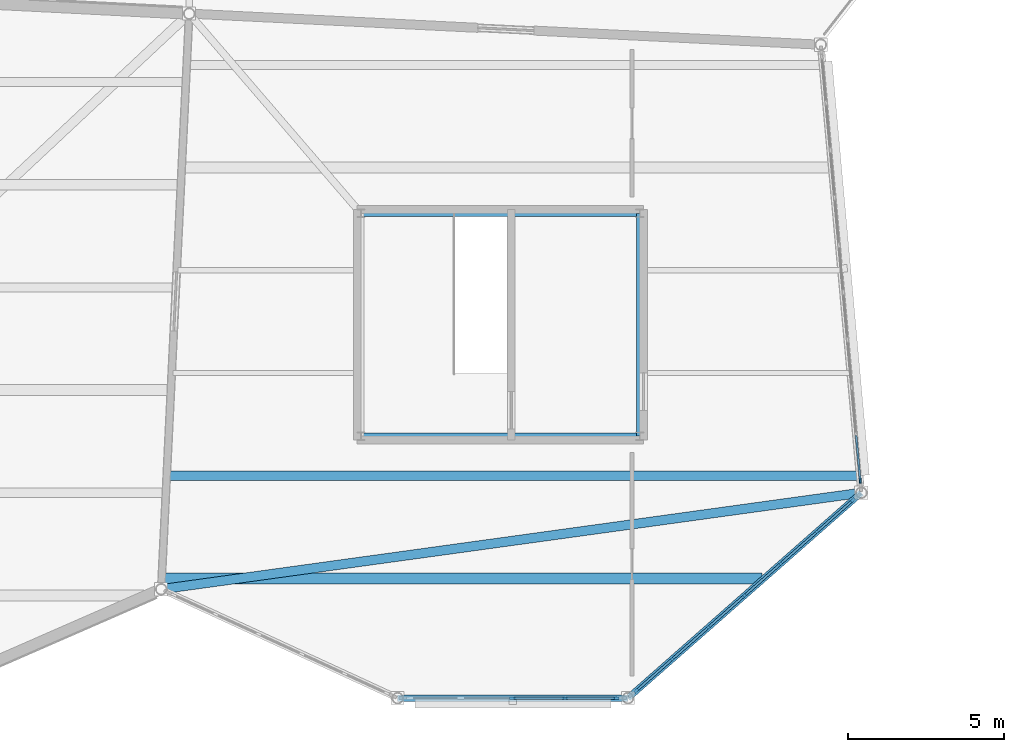
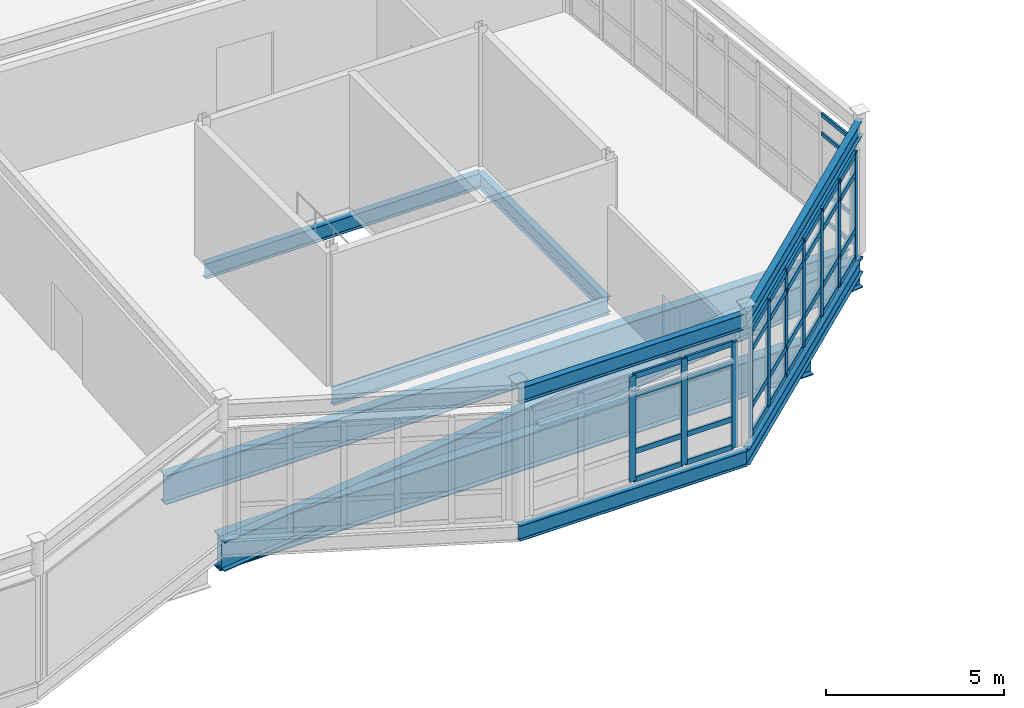
# One storey, part 24 of 114: 47 members, 10 beams, 3 elements without a shape of their own.
"""IFC4 building model written with IfcOpenShell, lengths in metres."""

import ifcopenshell
import ifcopenshell.guid

model = None  # the IFC model being written
_history = None  # IfcOwnerHistory: only IFC2X3 demands one
_inside = {}  # id of a spatial element -> (the spatial element, [elements in it])
_under = {}  # id of a project, library or spatial element -> (it, [spatial elements below it])
_declared = {}  # id of a project -> (the project, [libraries it declares])
_typed = {}  # id of a type object -> (the type object, [elements of that type])
_made_of = {}  # id of a material, layer set ... -> (it, [elements and type objects made of it])


def new_model(schema):
    """Start an empty IFC model of exactly this schema.

    Asked for "IFC4X3", IfcOpenShell would pick the latest addendum, in which some entities
    have other attributes; the version numbers below select the first issue.
    IFC2X3 requires an IfcOwnerHistory on every rooted entity: one is made here for all.
    """
    global model, _history
    if schema == "IFC4X3":
        model = ifcopenshell.file(schema_version=(4, 3, 0, 0))
    else:
        model = ifcopenshell.file(schema=schema)
    _inside.clear()
    _under.clear()
    _declared.clear()
    _typed.clear()
    _made_of.clear()
    _history = None
    if model.schema == "IFC2X3":
        org = make("IfcOrganization", Name="unknown")
        user = make(
            "IfcPersonAndOrganization",
            ThePerson=make("IfcPerson", FamilyName="unknown"),
            TheOrganization=org,
        )
        app = make(
            "IfcApplication",
            ApplicationDeveloper=org,
            Version="unknown",
            ApplicationFullName="unknown",
            ApplicationIdentifier="unknown",
        )
        _history = make(
            "IfcOwnerHistory",
            OwningUser=user,
            OwningApplication=app,
            ChangeAction="ADDED",
            CreationDate=0,
        )
    return model


def make(cls, **values):
    """One entity of the class cls with the attributes given. An attribute that is None is left unset."""
    return model.create_entity(
        cls, **{name: value for name, value in values.items() if value is not None}
    )


def rooted(cls, **values):
    """An entity with a GlobalId (a new one), such as an element, a storey or a relation."""
    return make(cls, GlobalId=ifcopenshell.guid.new(), OwnerHistory=_history, **values)


def si_unit(unit_type, name, prefix=None):
    """IfcSIUnit, for example si_unit("LENGTHUNIT", "METRE", prefix="MILLI")."""
    return make("IfcSIUnit", UnitType=unit_type, Prefix=prefix, Name=name)


def assignment(units):
    """IfcUnitAssignment: the units of a project."""
    return None if units is None else make("IfcUnitAssignment", Units=units)


def point(xyz):
    """IfcCartesianPoint."""
    return None if xyz is None else make("IfcCartesianPoint", Coordinates=xyz)


def direction(xyz):
    """IfcDirection."""
    return None if xyz is None else make("IfcDirection", DirectionRatios=xyz)


def frame(location, z_axis=None, x_axis=None):
    """IfcAxis2Placement3D, a coordinate frame: its origin and axes. An axis left out is left unset."""
    return make(
        "IfcAxis2Placement3D",
        Location=point(location),
        Axis=direction(z_axis),
        RefDirection=direction(x_axis),
    )


def frame_2d(location, x_axis=None):
    """IfcAxis2Placement2D, a coordinate frame in the plane: its origin and x axis."""
    return make(
        "IfcAxis2Placement2D", Location=point(location), RefDirection=direction(x_axis)
    )


def origin():
    """The frame at (0, 0, 0) with its axes left unset."""
    return frame((0.0, 0.0, 0.0))


def origin_2d():
    """The frame at (0, 0) in the plane with its x axis left unset."""
    return frame_2d((0.0, 0.0))


def place(relative_to, where):
    """IfcLocalPlacement: puts the frame where relative to a parent placement (None: the world)."""
    return make(
        "IfcLocalPlacement", PlacementRelTo=relative_to, RelativePlacement=where
    )


def context(
    kind, dimensions, precision=None, world=None, true_north=None, identifier=None
):
    """IfcGeometricRepresentationContext, for example the 3D "Model" context."""
    return make(
        "IfcGeometricRepresentationContext",
        ContextIdentifier=identifier,
        ContextType=kind,
        CoordinateSpaceDimension=dimensions,
        Precision=precision,
        WorldCoordinateSystem=world,
        TrueNorth=true_north,
    )


def subcontext(parent, identifier, kind, view, scale=None):
    """IfcGeometricRepresentationSubContext, for example "Body" below "Model"."""
    return make(
        "IfcGeometricRepresentationSubContext",
        ContextIdentifier=identifier,
        ContextType=kind,
        ParentContext=parent,
        TargetScale=scale,
        TargetView=view,
    )


def project(units=None, contexts=None):
    """IfcProject with its units and contexts."""
    return rooted(
        "IfcProject",
        Name="project",
        RepresentationContexts=contexts,
        UnitsInContext=assignment(units),
    )


def spatial(cls, under=None, at=None, **own):
    """A site, building, storey or space (cls), placed at a placement, below another one or the project."""
    s = rooted(cls, ObjectPlacement=at, **own)
    if under is not None:
        _under.setdefault(under.id(), (under, []))[1].append(s)
    return s


def profile(cls, at=None, kind="AREA", **sizes):
    """A parametric profile (cls). Its sizes go by their IFC names, for example OverallWidth=200.0."""
    return make(cls, ProfileType=kind, Position=at, **sizes)


def rectangle(**sizes):
    """IfcRectangleProfileDef."""
    return profile("IfcRectangleProfileDef", **sizes)


def i_section(**sizes):
    """IfcIShapeProfileDef."""
    return profile("IfcIShapeProfileDef", **sizes)


def extrude(swept, where, along, depth):
    """IfcExtrudedAreaSolid: the profile swept, set in the frame where, extruded along a direction by depth."""
    return make(
        "IfcExtrudedAreaSolid",
        SweptArea=swept,
        Position=where,
        ExtrudedDirection=direction(along),
        Depth=depth,
    )


def shape(context_of_items, identifier, shape_type, items):
    """IfcShapeRepresentation: the items that make up one representation, for example the "Body"."""
    return make(
        "IfcShapeRepresentation",
        ContextOfItems=context_of_items,
        RepresentationIdentifier=identifier,
        RepresentationType=shape_type,
        Items=items,
    )


def material(Name=None, Category=None):
    """IfcMaterial."""
    return make("IfcMaterial", Name=Name, Category=Category)


def material_profile(
    of_material, cross_section, Name=None, Category=None, Priority=None
):
    """IfcMaterialProfile: a cross section and its material."""
    return make(
        "IfcMaterialProfile",
        Name=Name,
        Material=of_material,
        Profile=cross_section,
        Priority=Priority,
        Category=Category,
    )


def profile_set(profiles, Name=None, composite=None):
    """IfcMaterialProfileSet."""
    return make(
        "IfcMaterialProfileSet",
        Name=Name,
        MaterialProfiles=profiles,
        CompositeProfile=composite,
    )


def made_of(thing, what):
    """Note that an element or type object is made of a material, layer set ...; save() writes the relation."""
    if what is not None:
        _made_of.setdefault(what.id(), (what, []))[1].append(thing)
    return thing


def type_object(cls, material=None, **own):
    """A type object (cls), such as IfcWallType, which elements share."""
    return made_of(rooted(cls, **own), material)


def element(
    cls,
    number,
    at=None,
    inside=None,
    cuts=None,
    type_object=None,
    material=None,
    context=None,
    identifier="Body",
    shape_type=None,
    held_by="IfcProductDefinitionShape",
    body=None,
    shapes=None,
    **own,
):
    """One element of the class cls, such as IfcWall. Its Tag is "e" and its number.

    at: its placement. inside: the storey or other place that contains it. cuts: it is an
    opening in that element (IfcRelVoidsElement). A single representation is given by context,
    identifier, shape_type and body (its items); several are given by shapes. held_by: the class
    of the entity that holds the representations. save() writes the other relations.
    """
    e = rooted(cls, Tag="e%d" % number, ObjectPlacement=at, **own)
    if body is not None:
        shapes = [shape(context, identifier, shape_type, body)]
    if shapes is not None:
        e.Representation = make(held_by, Representations=shapes)
    if inside is not None:
        _inside.setdefault(inside.id(), (inside, []))[1].append(e)
    if cuts is not None:
        rooted(
            "IfcRelVoidsElement", RelatingBuildingElement=cuts, RelatedOpeningElement=e
        )
    if type_object is not None:
        _typed.setdefault(type_object.id(), (type_object, []))[1].append(e)
    return made_of(e, material)


def aggregate(whole, parts):
    """IfcRelAggregates: a whole, such as a stair, and the parts it consists of."""
    return rooted("IfcRelAggregates", RelatingObject=whole, RelatedObjects=parts)


def save(model, path):
    """Write the relations noted so far, then the file.

    IfcRelAggregates (storeys below a building ...), IfcRelContainedInSpatialStructure (elements
    in a storey), IfcRelDefinesByType, IfcRelAssociatesMaterial and IfcRelDeclares: one each for
    every whole, place, type object, material and project.
    """
    for whole, parts in _under.values():
        aggregate(whole, parts)
    for where, things in _inside.values():
        rooted(
            "IfcRelContainedInSpatialStructure",
            RelatedElements=things,
            RelatingStructure=where,
        )
    for kind, things in _typed.values():
        rooted("IfcRelDefinesByType", RelatedObjects=things, RelatingType=kind)
    for what, things in _made_of.values():
        rooted("IfcRelAssociatesMaterial", RelatedObjects=things, RelatingMaterial=what)
    for by, libraries in _declared.values():
        rooted("IfcRelDeclares", RelatingContext=by, RelatedDefinitions=libraries)
    model.write(path)


model = new_model("IFC4")

# Units and contexts
model_context = context("Model", 3, precision=1e-05, world=origin(), true_north=direction((0.0, 1.0)))
body_context = subcontext(model_context, "Body", "Model", "MODEL_VIEW")
ifc_project = project(units=[si_unit("LENGTHUNIT", "METRE"), si_unit("AREAUNIT", "SQUARE_METRE"), si_unit("VOLUMEUNIT", "CUBIC_METRE"), si_unit("PLANEANGLEUNIT", "RADIAN"), si_unit("MASSUNIT", "GRAM", prefix="KILO")], contexts=[model_context])

# Site, building, storey
site_placement = place(None, origin())
site = spatial("IfcSite", under=ifc_project, at=site_placement, CompositionType="ELEMENT")
building_placement = place(site_placement, origin())
building = spatial("IfcBuilding", under=site, at=building_placement, Name="Tameran Prism Museum", CompositionType="ELEMENT")
storey_placement = place(building_placement, frame((0.0, 0.0, 10.199951171875)))
storey = spatial("IfcBuildingStorey", under=building, at=storey_placement, Name="L02", CompositionType="ELEMENT", Elevation=10.199951171875)

# Beams
ifc_material_1 = material(Name="Steel Grade 300PLUS (300 MPa)", Category="steel")
ifc_material_profile_1 = material_profile(ifc_material_1, i_section(OverallWidth=0.208984375, OverallDepth=0.532958984375, WebThickness=0.01025390625, FlangeThickness=0.015625, FilletRadius=0.013916015625, at=origin_2d()))
ifc_profile_set_1 = profile_set([ifc_material_profile_1])
beam_type_1 = type_object("IfcBeamType", Name="BM-SP530A", PredefinedType="SPANDREL", material=ifc_profile_set_1)
beam_1_placement = place(storey_placement, frame((37.60009765625, 0.0, -0.466552734375), z_axis=(0.75070866914, 0.660633403696, 0.0), x_axis=(-0.660633403696, 0.75070866914, 0.0)))
element("IfcBeam", 1, at=beam_1_placement, inside=storey, type_object=beam_type_1, Name="Perimeter Spandrel SP-0720", PredefinedType="SPANDREL", context=body_context, shape_type="SweptSolid", body=[
    extrude(i_section(OverallWidth=0.208984375, OverallDepth=0.532958984375, WebThickness=0.01025390625, FlangeThickness=0.015625, FilletRadius=0.013916015625, at=origin_2d()), origin(), (0.0, 0.0, 1.0), 9.990478515625),
])
ifc_material_2 = material(Name="Steel Grade 300PLUS (300 MPa)", Category="steel")
ifc_material_profile_2 = material_profile(ifc_material_2, i_section(OverallWidth=0.208984375, OverallDepth=0.528076171875, WebThickness=0.009521484375, FlangeThickness=0.01318359375, FilletRadius=0.013916015625, at=origin_2d()))
ifc_profile_set_2 = profile_set([ifc_material_profile_2])
beam_type_2 = type_object("IfcBeamType", Name="BM-SP530B", PredefinedType="SPANDREL", material=ifc_profile_set_2)
for number, where, z_axis, x_axis, name in (
    (2, (30.199951171875, 0.0, -0.4638671875), (1.0, 0.0, 0.0), (0.0, 1.0, 0.0), "Perimeter Spandrel SP-0719"),
    (3, (30.199951171875, 0.0, 4.256103515625), (1.0, 0.0, 0.0), (0.0, 1.0, 0.0), "Roof Ring Beam RB-0724"),
):
    element("IfcBeam", number, at=place(storey_placement, frame(where, z_axis=z_axis, x_axis=x_axis)), inside=storey, type_object=beam_type_2, Name=name, PredefinedType="SPANDREL", context=body_context, shape_type="SweptSolid", body=[
        extrude(i_section(OverallWidth=0.208984375, OverallDepth=0.528076171875, WebThickness=0.009521484375, FlangeThickness=0.01318359375, FilletRadius=0.013916015625, at=origin_2d()), origin(), (0.0, 0.0, 1.0), 7.400146484375),
    ])
beam_2_placement = place(storey_placement, frame((37.60009765625, 0.0, 4.256103515625), z_axis=(0.75070866914, 0.660633403696, 0.0), x_axis=(-0.660633403696, 0.75070866914, 0.0)))
element("IfcBeam", 4, at=beam_2_placement, inside=storey, type_object=beam_type_2, Name="Roof Ring Beam RB-0725", PredefinedType="SPANDREL", context=body_context, shape_type="SweptSolid", body=[
    extrude(i_section(OverallWidth=0.208984375, OverallDepth=0.528076171875, WebThickness=0.009521484375, FlangeThickness=0.01318359375, FilletRadius=0.013916015625, at=origin_2d()), origin(), (0.0, 0.0, 1.0), 9.990478515625),
])
beam_3_placement = place(storey_placement, frame((29.02001953125, 8.419921875, -0.50390625), z_axis=(1.0, 0.0, 0.0), x_axis=(0.0, 1.0, 0.0)))
element("IfcBeam", 5, at=beam_3_placement, inside=storey, type_object=beam_type_2, Name="Core Ring Beam CTB-0785", PredefinedType="SPANDREL", context=body_context, shape_type="SweptSolid", body=[
    extrude(i_section(OverallWidth=0.208984375, OverallDepth=0.528076171875, WebThickness=0.009521484375, FlangeThickness=0.01318359375, FilletRadius=0.013916015625, at=origin_2d()), origin(), (0.0, 0.0, 1.0), 8.9599609375),
])
beam_4_placement = place(storey_placement, frame((37.97998046875, 8.419921875, -0.50390625), z_axis=(0.0, 1.0, 0.0), x_axis=(-1.0, 0.0, 0.0)))
element("IfcBeam", 6, at=beam_4_placement, inside=storey, type_object=beam_type_2, Name="Core Ring Beam CTB-0786", PredefinedType="SPANDREL", context=body_context, shape_type="SweptSolid", body=[
    extrude(i_section(OverallWidth=0.208984375, OverallDepth=0.528076171875, WebThickness=0.009521484375, FlangeThickness=0.01318359375, FilletRadius=0.013916015625, at=origin_2d()), origin(), (0.0, 0.0, 1.0), 7.16015625),
])
beam_5_placement = place(storey_placement, frame((37.97998046875, 15.580078125, -0.50390625), z_axis=(-1.0, 0.0, 0.0), x_axis=(0.0, -1.0, 0.0)))
element("IfcBeam", 7, at=beam_5_placement, inside=storey, type_object=beam_type_2, Name="Core Ring Beam CTB-0787", PredefinedType="SPANDREL", context=body_context, shape_type="SweptSolid", body=[
    extrude(i_section(OverallWidth=0.208984375, OverallDepth=0.528076171875, WebThickness=0.009521484375, FlangeThickness=0.01318359375, FilletRadius=0.013916015625, at=origin_2d()), origin(), (0.0, 0.0, 1.0), 8.9599609375),
])
ifc_material_3 = material(Name="Steel Grade 350 (350 MPa)", Category="steel")
ifc_material_profile_3 = material_profile(ifc_material_3, i_section(OverallWidth=0.300048828125, OverallDepth=1.0, WebThickness=0.01611328125, FlangeThickness=0.031982421875, at=origin_2d()))
ifc_profile_set_3 = profile_set([ifc_material_profile_3])
beam_type_3 = type_object("IfcBeamType", Name="BM-WB1000", PredefinedType="BEAM", material=ifc_profile_set_3)
beam_6_placement = place(storey_placement, frame((22.60009765625, 3.5, -0.699951171875), z_axis=(0.990641086736, 0.136492627163, 0.0), x_axis=(-0.136492627163, 0.990641086736, 0.0)))
element("IfcBeam", 8, at=beam_6_placement, inside=storey, type_object=beam_type_3, Name="Primary Vertex Girder PG-0728", PredefinedType="BEAM", context=body_context, shape_type="SweptSolid", body=[
    extrude(i_section(OverallWidth=0.300048828125, OverallDepth=1.0, WebThickness=0.01611328125, FlangeThickness=0.031982421875, at=origin_2d()), origin(), (0.0, 0.0, 1.0), 22.712646484375),
])
beam_7_placement = place(storey_placement, frame((22.818115234375, 7.14990234375, -0.699951171875), z_axis=(1.0, 0.0, 0.0), x_axis=(0.0, 1.0, 0.0)))
element("IfcBeam", 9, at=beam_7_placement, inside=storey, type_object=beam_type_3, Name="Floor Beam BM-0898", PredefinedType="BEAM", context=body_context, shape_type="SweptSolid", body=[
    extrude(i_section(OverallWidth=0.300048828125, OverallDepth=1.0, WebThickness=0.01611328125, FlangeThickness=0.031982421875, at=origin_2d()), origin(), (0.0, 0.0, 1.0), 22.19189453125),
])
ifc_material_4 = material(Name="Steel Grade 350 (350 MPa)", Category="steel")
ifc_material_profile_4 = material_profile(ifc_material_4, i_section(OverallWidth=0.35009765625, OverallDepth=1.199951171875, WebThickness=0.01611328125, FlangeThickness=0.035888671875, at=origin_2d()))
ifc_profile_set_4 = profile_set([ifc_material_profile_4])
beam_type_4 = type_object("IfcBeamType", Name="BM-WB1200", PredefinedType="BEAM", material=ifc_profile_set_4)
beam_8_placement = place(storey_placement, frame((22.656982421875, 3.85009765625, -0.800048828125), z_axis=(1.0, 0.0, 0.0), x_axis=(0.0, 1.0, 0.0)))
element("IfcBeam", 10, at=beam_8_placement, inside=storey, type_object=beam_type_4, Name="Floor Beam BM-0897", PredefinedType="BEAM", context=body_context, shape_type="SweptSolid", body=[
    extrude(i_section(OverallWidth=0.35009765625, OverallDepth=1.199951171875, WebThickness=0.01611328125, FlangeThickness=0.035888671875, at=origin_2d()), origin(), (0.0, 0.0, 1.0), 19.257080078125),
])

# Curtain wall, member
ifc_material_5 = material(Name="Anodised Aluminium 6063-T6 and Cyclone Solar Glass", Category="aluminium")
curtain_wall_type_1 = type_object("IfcCurtainWallType", Name="CW-FAC-1376x362", PredefinedType="USERDEFINED", material=ifc_material_5)
curtain_wall_1_placement = place(storey_placement, origin())
curtain_wall_1 = element("IfcCurtainWall", 11, at=curtain_wall_1_placement, inside=storey, type_object=curtain_wall_type_1, Name="Unitised Curtain Wall CW-123", ObjectType="UNITISED CURTAIN WALL", PredefinedType="USERDEFINED")
ifc_material_6 = material(Name="Anodised Aluminium Alloy 6063-T6", Category="aluminium")
ifc_material_profile_5 = material_profile(ifc_material_6, rectangle(XDim=0.06494140625, YDim=0.159912109375, at=origin_2d()))
ifc_profile_set_5 = profile_set([ifc_material_profile_5])
member_type_1 = type_object("IfcMemberType", Name="CW-MUL-A", PredefinedType="MULLION", material=ifc_profile_set_5)
member_1_placement = place(storey_placement, frame((45.066162109375, 6.9814453125, 0.0), z_axis=(0.0, 0.0, 1.0), x_axis=(0.995943100389, 0.089985225386, 0.0)))
member_1 = element("IfcMember", 12, at=member_1_placement, type_object=member_type_1, Name="CW-123 mullion 10", PredefinedType="MULLION", context=body_context, shape_type="SweptSolid", body=[
    extrude(rectangle(XDim=0.06494140625, YDim=0.159912109375, at=origin_2d()), origin(), (0.0, 0.0, 1.0), 3.6201171875),
])

# Curtain wall, members
ifc_material_7 = material(Name="Anodised Aluminium 6063-T6 and Cyclone Solar Glass", Category="aluminium")
curtain_wall_type_2 = type_object("IfcCurtainWallType", Name="CW-FAC-670x362", PredefinedType="USERDEFINED", material=ifc_material_7)
curtain_wall_2_placement = place(storey_placement, origin())
curtain_wall_2 = element("IfcCurtainWall", 13, at=curtain_wall_2_placement, inside=storey, type_object=curtain_wall_type_2, Name="Unitised Curtain Wall CW-121", ObjectType="UNITISED CURTAIN WALL", PredefinedType="USERDEFINED")
ifc_material_8 = material(Name="Anodised Aluminium Alloy 6063-T6", Category="aluminium")
ifc_material_profile_6 = material_profile(ifc_material_8, rectangle(XDim=0.074951171875, YDim=0.199951171875, at=origin_2d()))
ifc_profile_set_6 = profile_set([ifc_material_profile_6])
member_type_2 = type_object("IfcMemberType", Name="CW-MUL-C", PredefinedType="MULLION", material=ifc_profile_set_6)
member_2_placement = place(storey_placement, frame((37.21240234375, 0.0, 0.0), z_axis=(0.0, 0.0, 1.0), x_axis=(0.0, -1.0, 0.0)))
member_2 = element("IfcMember", 14, at=member_2_placement, type_object=member_type_2, Name="CW-121 mullion 1", PredefinedType="MULLION", context=body_context, shape_type="SweptSolid", body=[
    extrude(rectangle(XDim=0.074951171875, YDim=0.199951171875, at=origin_2d()), origin(), (0.0, 0.0, 1.0), 3.6201171875),
])
member_3_placement = place(storey_placement, frame((35.574951171875, 0.0, 0.0), z_axis=(0.0, 0.0, 1.0), x_axis=(0.0, -1.0, 0.0)))
member_3 = element("IfcMember", 15, at=member_3_placement, type_object=member_type_2, Name="CW-121 mullion 2", PredefinedType="MULLION", context=body_context, shape_type="SweptSolid", body=[
    extrude(rectangle(XDim=0.074951171875, YDim=0.199951171875, at=origin_2d()), origin(), (0.0, 0.0, 1.0), 3.6201171875),
])
member_4_placement = place(storey_placement, frame((33.89990234375, 0.0, 0.0), z_axis=(0.0, 0.0, 1.0), x_axis=(0.0, -1.0, 0.0)))
member_4 = element("IfcMember", 16, at=member_4_placement, type_object=member_type_2, Name="CW-121 mullion 3", PredefinedType="MULLION", context=body_context, shape_type="SweptSolid", body=[
    extrude(rectangle(XDim=0.074951171875, YDim=0.199951171875, at=origin_2d()), origin(), (0.0, 0.0, 1.0), 3.6201171875),
])

ifc_material_9 = material(Name="Anodised Aluminium 6063-T6 and Cyclone Solar Glass", Category="aluminium")
curtain_wall_type_3 = type_object("IfcCurtainWallType", Name="CW-FAC-929x362", PredefinedType="USERDEFINED", material=ifc_material_9)
curtain_wall_3_placement = place(storey_placement, origin())
curtain_wall_3 = element("IfcCurtainWall", 17, at=curtain_wall_3_placement, inside=storey, type_object=curtain_wall_type_3, Name="Unitised Curtain Wall CW-122", ObjectType="UNITISED CURTAIN WALL", PredefinedType="USERDEFINED")
ifc_material_10 = material(Name="Anodised Aluminium Alloy 6063-T6", Category="aluminium")
ifc_material_profile_7 = material_profile(ifc_material_10, rectangle(XDim=0.080078125, YDim=0.219970703125, at=origin_2d()))
ifc_profile_set_7 = profile_set([ifc_material_profile_7])
member_type_3 = type_object("IfcMemberType", Name="CW-MUL-D", PredefinedType="MULLION", material=ifc_profile_set_7)
member_5_placement = place(storey_placement, frame((44.806884765625, 6.342529296875, 0.0), z_axis=(0.0, 0.0, 1.0), x_axis=(0.660681275391, -0.750666538716, 0.0)))
member_5 = element("IfcMember", 18, at=member_5_placement, type_object=member_type_3, Name="CW-122 mullion 1", PredefinedType="MULLION", context=body_context, shape_type="SweptSolid", body=[
    extrude(rectangle(XDim=0.080078125, YDim=0.219970703125, at=origin_2d()), origin(), (0.0, 0.0, 1.0), 3.6201171875),
])
member_6_placement = place(storey_placement, frame((43.674560546875, 5.345947265625, 0.0), z_axis=(0.0, 0.0, 1.0), x_axis=(0.660681275391, -0.750666538716, 0.0)))
member_6 = element("IfcMember", 19, at=member_6_placement, type_object=member_type_3, Name="CW-122 mullion 2", PredefinedType="MULLION", context=body_context, shape_type="SweptSolid", body=[
    extrude(rectangle(XDim=0.080078125, YDim=0.219970703125, at=origin_2d()), origin(), (0.0, 0.0, 1.0), 3.6201171875),
])
member_7_placement = place(storey_placement, frame((42.512451171875, 4.322998046875, 0.0), z_axis=(0.0, 0.0, 1.0), x_axis=(0.660681275391, -0.750666538716, 0.0)))
member_7 = element("IfcMember", 20, at=member_7_placement, type_object=member_type_3, Name="CW-122 mullion 3", PredefinedType="MULLION", context=body_context, shape_type="SweptSolid", body=[
    extrude(rectangle(XDim=0.080078125, YDim=0.219970703125, at=origin_2d()), origin(), (0.0, 0.0, 1.0), 3.6201171875),
])
member_8_placement = place(storey_placement, frame((41.35009765625, 3.300048828125, 0.0), z_axis=(0.0, 0.0, 1.0), x_axis=(0.660681275391, -0.750666538716, 0.0)))
member_8 = element("IfcMember", 21, at=member_8_placement, type_object=member_type_3, Name="CW-122 mullion 4", PredefinedType="MULLION", context=body_context, shape_type="SweptSolid", body=[
    extrude(rectangle(XDim=0.080078125, YDim=0.219970703125, at=origin_2d()), origin(), (0.0, 0.0, 1.0), 3.6201171875),
])
member_9_placement = place(storey_placement, frame((40.187744140625, 2.277099609375, 0.0), z_axis=(0.0, 0.0, 1.0), x_axis=(0.660681275391, -0.750666538716, 0.0)))
member_9 = element("IfcMember", 22, at=member_9_placement, type_object=member_type_3, Name="CW-122 mullion 5", PredefinedType="MULLION", context=body_context, shape_type="SweptSolid", body=[
    extrude(rectangle(XDim=0.080078125, YDim=0.219970703125, at=origin_2d()), origin(), (0.0, 0.0, 1.0), 3.6201171875),
])
member_10_placement = place(storey_placement, frame((39.025390625, 1.25390625, 0.0), z_axis=(0.0, 0.0, 1.0), x_axis=(0.660681275391, -0.750666538716, 0.0)))
member_10 = element("IfcMember", 23, at=member_10_placement, type_object=member_type_3, Name="CW-122 mullion 6", PredefinedType="MULLION", context=body_context, shape_type="SweptSolid", body=[
    extrude(rectangle(XDim=0.080078125, YDim=0.219970703125, at=origin_2d()), origin(), (0.0, 0.0, 1.0), 3.6201171875),
])
member_11_placement = place(storey_placement, frame((37.89306640625, 0.25732421875, 0.0), z_axis=(0.0, 0.0, 1.0), x_axis=(0.660681275391, -0.750666538716, 0.0)))
member_11 = element("IfcMember", 24, at=member_11_placement, type_object=member_type_3, Name="CW-122 mullion 7", PredefinedType="MULLION", context=body_context, shape_type="SweptSolid", body=[
    extrude(rectangle(XDim=0.080078125, YDim=0.219970703125, at=origin_2d()), origin(), (0.0, 0.0, 1.0), 3.6201171875),
])

# Member
ifc_material_11 = material(Name="Anodised Aluminium Alloy 6063-T6", Category="aluminium")
ifc_material_profile_8 = material_profile(ifc_material_11, rectangle(XDim=0.06494140625, YDim=0.139892578125, at=origin_2d()))
ifc_profile_set_8 = profile_set([ifc_material_profile_8])
member_type_4 = type_object("IfcMemberType", Name="CW-TRN-A", PredefinedType="USERDEFINED", material=ifc_profile_set_8)
member_12_placement = place(storey_placement, frame((44.934326171875, 8.43896484375, 0.032470703125), z_axis=(0.090074290165, -0.995935049213, 0.0), x_axis=(0.995935049213, 0.090074290165, 0.0)))
member_12 = element("IfcMember", 25, at=member_12_placement, type_object=member_type_4, Name="CW-123 transom 9.1", ObjectType="TRANSOM", PredefinedType="USERDEFINED", context=body_context, shape_type="SweptSolid", body=[
    extrude(rectangle(XDim=0.06494140625, YDim=0.139892578125, at=origin_2d()), origin(), (0.0, 0.0, 1.0), 1.43115234375),
])

member_13_placement = place(storey_placement, frame((44.934326171875, 8.43896484375, 1.0), z_axis=(0.090074290165, -0.995935049213, 0.0), x_axis=(0.995935049213, 0.090074290165, 0.0)))
member_13 = element("IfcMember", 26, at=member_13_placement, type_object=member_type_4, Name="CW-123 transom 9.2", ObjectType="TRANSOM", PredefinedType="USERDEFINED", context=body_context, shape_type="SweptSolid", body=[
    extrude(rectangle(XDim=0.06494140625, YDim=0.139892578125, at=origin_2d()), origin(), (0.0, 0.0, 1.0), 1.43115234375),
])

member_14_placement = place(storey_placement, frame((44.934326171875, 8.43896484375, 2.93994140625), z_axis=(0.090074290165, -0.995935049213, 0.0), x_axis=(0.995935049213, 0.090074290165, 0.0)))
member_14 = element("IfcMember", 27, at=member_14_placement, type_object=member_type_4, Name="CW-123 transom 9.3", ObjectType="TRANSOM", PredefinedType="USERDEFINED", context=body_context, shape_type="SweptSolid", body=[
    extrude(rectangle(XDim=0.06494140625, YDim=0.139892578125, at=origin_2d()), origin(), (0.0, 0.0, 1.0), 1.43115234375),
])

member_15_placement = place(storey_placement, frame((44.934326171875, 8.43896484375, 3.587646484375), z_axis=(0.090074290165, -0.995935049213, 0.0), x_axis=(0.995935049213, 0.090074290165, 0.0)))
member_15 = element("IfcMember", 28, at=member_15_placement, type_object=member_type_4, Name="CW-123 transom 9.4", ObjectType="TRANSOM", PredefinedType="USERDEFINED", context=body_context, shape_type="SweptSolid", body=[
    extrude(rectangle(XDim=0.06494140625, YDim=0.139892578125, at=origin_2d()), origin(), (0.0, 0.0, 1.0), 1.43115234375),
])

aggregate(curtain_wall_1, [member_1, member_12, member_13, member_14, member_15])

ifc_material_12 = material(Name="Anodised Aluminium Alloy 6063-T6", Category="aluminium")
ifc_material_profile_9 = material_profile(ifc_material_12, rectangle(XDim=0.074951171875, YDim=0.175048828125, at=origin_2d()))
ifc_profile_set_9 = profile_set([ifc_material_profile_9])
member_type_5 = type_object("IfcMemberType", Name="CW-TRN-C", PredefinedType="USERDEFINED", material=ifc_profile_set_9)
member_16_placement = place(storey_placement, frame((37.175048828125, 0.0, 0.03759765625), z_axis=(-1.0, 0.0, 0.0), x_axis=(0.0, -1.0, 0.0)))
member_16 = element("IfcMember", 29, at=member_16_placement, type_object=member_type_5, Name="CW-121 transom 1.1", ObjectType="TRANSOM", PredefinedType="USERDEFINED", context=body_context, shape_type="SweptSolid", body=[
    extrude(rectangle(XDim=0.074951171875, YDim=0.175048828125, at=origin_2d()), origin(), (0.0, 0.0, 1.0), 1.5625),
])

member_17_placement = place(storey_placement, frame((37.175048828125, 0.0, 1.0), z_axis=(-1.0, 0.0, 0.0), x_axis=(0.0, -1.0, 0.0)))
member_17 = element("IfcMember", 30, at=member_17_placement, type_object=member_type_5, Name="CW-121 transom 1.2", ObjectType="TRANSOM", PredefinedType="USERDEFINED", context=body_context, shape_type="SweptSolid", body=[
    extrude(rectangle(XDim=0.074951171875, YDim=0.175048828125, at=origin_2d()), origin(), (0.0, 0.0, 1.0), 1.5625),
])

member_18_placement = place(storey_placement, frame((37.175048828125, 0.0, 2.93994140625), z_axis=(-1.0, 0.0, 0.0), x_axis=(0.0, -1.0, 0.0)))
member_18 = element("IfcMember", 31, at=member_18_placement, type_object=member_type_5, Name="CW-121 transom 1.3", ObjectType="TRANSOM", PredefinedType="USERDEFINED", context=body_context, shape_type="SweptSolid", body=[
    extrude(rectangle(XDim=0.074951171875, YDim=0.175048828125, at=origin_2d()), origin(), (0.0, 0.0, 1.0), 1.5625),
])

member_19_placement = place(storey_placement, frame((37.175048828125, 0.0, 3.58251953125), z_axis=(-1.0, 0.0, 0.0), x_axis=(0.0, -1.0, 0.0)))
member_19 = element("IfcMember", 32, at=member_19_placement, type_object=member_type_5, Name="CW-121 transom 1.4", ObjectType="TRANSOM", PredefinedType="USERDEFINED", context=body_context, shape_type="SweptSolid", body=[
    extrude(rectangle(XDim=0.074951171875, YDim=0.175048828125, at=origin_2d()), origin(), (0.0, 0.0, 1.0), 1.5625),
])

member_20_placement = place(storey_placement, frame((35.53759765625, 0.0, 0.03759765625), z_axis=(-1.0, 0.0, 0.0), x_axis=(0.0, -1.0, 0.0)))
member_20 = element("IfcMember", 33, at=member_20_placement, type_object=member_type_5, Name="CW-121 transom 2.1", ObjectType="TRANSOM", PredefinedType="USERDEFINED", context=body_context, shape_type="SweptSolid", body=[
    extrude(rectangle(XDim=0.074951171875, YDim=0.175048828125, at=origin_2d()), origin(), (0.0, 0.0, 1.0), 1.60009765625),
])

member_21_placement = place(storey_placement, frame((35.53759765625, 0.0, 1.0), z_axis=(-1.0, 0.0, 0.0), x_axis=(0.0, -1.0, 0.0)))
member_21 = element("IfcMember", 34, at=member_21_placement, type_object=member_type_5, Name="CW-121 transom 2.2", ObjectType="TRANSOM", PredefinedType="USERDEFINED", context=body_context, shape_type="SweptSolid", body=[
    extrude(rectangle(XDim=0.074951171875, YDim=0.175048828125, at=origin_2d()), origin(), (0.0, 0.0, 1.0), 1.60009765625),
])

member_22_placement = place(storey_placement, frame((35.53759765625, 0.0, 2.93994140625), z_axis=(-1.0, 0.0, 0.0), x_axis=(0.0, -1.0, 0.0)))
member_22 = element("IfcMember", 35, at=member_22_placement, type_object=member_type_5, Name="CW-121 transom 2.3", ObjectType="TRANSOM", PredefinedType="USERDEFINED", context=body_context, shape_type="SweptSolid", body=[
    extrude(rectangle(XDim=0.074951171875, YDim=0.175048828125, at=origin_2d()), origin(), (0.0, 0.0, 1.0), 1.60009765625),
])

member_23_placement = place(storey_placement, frame((35.53759765625, 0.0, 3.58251953125), z_axis=(-1.0, 0.0, 0.0), x_axis=(0.0, -1.0, 0.0)))
member_23 = element("IfcMember", 36, at=member_23_placement, type_object=member_type_5, Name="CW-121 transom 2.4", ObjectType="TRANSOM", PredefinedType="USERDEFINED", context=body_context, shape_type="SweptSolid", body=[
    extrude(rectangle(XDim=0.074951171875, YDim=0.175048828125, at=origin_2d()), origin(), (0.0, 0.0, 1.0), 1.60009765625),
])

aggregate(curtain_wall_2, [member_2, member_3, member_4, member_16, member_17, member_18, member_19, member_20, member_21, member_22, member_23])

ifc_material_13 = material(Name="Anodised Aluminium Alloy 6063-T6", Category="aluminium")
ifc_material_profile_10 = material_profile(ifc_material_13, rectangle(XDim=0.080078125, YDim=0.195068359375, at=origin_2d()))
ifc_profile_set_10 = profile_set([ifc_material_profile_10])
member_type_6 = type_object("IfcMemberType", Name="CW-TRN-D", PredefinedType="USERDEFINED", material=ifc_profile_set_10)
member_24_placement = place(storey_placement, frame((44.77685546875, 6.316162109375, 0.0400390625), z_axis=(-0.750625359617, -0.660728060173, 0.0), x_axis=(0.660728060173, -0.750625359617, 0.0)))
member_24 = element("IfcMember", 37, at=member_24_placement, type_object=member_type_6, Name="CW-122 transom 1.1", ObjectType="TRANSOM", PredefinedType="USERDEFINED", context=body_context, shape_type="SweptSolid", body=[
    extrude(rectangle(XDim=0.080078125, YDim=0.195068359375, at=origin_2d()), origin(), (0.0, 0.0, 1.0), 1.428466796875),
])

member_25_placement = place(storey_placement, frame((44.77685546875, 6.316162109375, 1.0), z_axis=(-0.750625359617, -0.660728060173, 0.0), x_axis=(0.660728060173, -0.750625359617, 0.0)))
member_25 = element("IfcMember", 38, at=member_25_placement, type_object=member_type_6, Name="CW-122 transom 1.2", ObjectType="TRANSOM", PredefinedType="USERDEFINED", context=body_context, shape_type="SweptSolid", body=[
    extrude(rectangle(XDim=0.080078125, YDim=0.195068359375, at=origin_2d()), origin(), (0.0, 0.0, 1.0), 1.428466796875),
])

member_26_placement = place(storey_placement, frame((44.77685546875, 6.316162109375, 2.93994140625), z_axis=(-0.750625359617, -0.660728060173, 0.0), x_axis=(0.660728060173, -0.750625359617, 0.0)))
member_26 = element("IfcMember", 39, at=member_26_placement, type_object=member_type_6, Name="CW-122 transom 1.3", ObjectType="TRANSOM", PredefinedType="USERDEFINED", context=body_context, shape_type="SweptSolid", body=[
    extrude(rectangle(XDim=0.080078125, YDim=0.195068359375, at=origin_2d()), origin(), (0.0, 0.0, 1.0), 1.428466796875),
])

member_27_placement = place(storey_placement, frame((44.77685546875, 6.316162109375, 3.580078125), z_axis=(-0.750625359617, -0.660728060173, 0.0), x_axis=(0.660728060173, -0.750625359617, 0.0)))
member_27 = element("IfcMember", 40, at=member_27_placement, type_object=member_type_6, Name="CW-122 transom 1.4", ObjectType="TRANSOM", PredefinedType="USERDEFINED", context=body_context, shape_type="SweptSolid", body=[
    extrude(rectangle(XDim=0.080078125, YDim=0.195068359375, at=origin_2d()), origin(), (0.0, 0.0, 1.0), 1.428466796875),
])

member_28_placement = place(storey_placement, frame((43.64453125, 5.319580078125, 0.0400390625), z_axis=(-0.75057496113, -0.660785311372, 0.0), x_axis=(0.660785311372, -0.75057496113, 0.0)))
member_28 = element("IfcMember", 41, at=member_28_placement, type_object=member_type_6, Name="CW-122 transom 2.1", ObjectType="TRANSOM", PredefinedType="USERDEFINED", context=body_context, shape_type="SweptSolid", body=[
    extrude(rectangle(XDim=0.080078125, YDim=0.195068359375, at=origin_2d()), origin(), (0.0, 0.0, 1.0), 1.46826171875),
])

member_29_placement = place(storey_placement, frame((43.64453125, 5.319580078125, 1.0), z_axis=(-0.75057496113, -0.660785311372, 0.0), x_axis=(0.660785311372, -0.75057496113, 0.0)))
member_29 = element("IfcMember", 42, at=member_29_placement, type_object=member_type_6, Name="CW-122 transom 2.2", ObjectType="TRANSOM", PredefinedType="USERDEFINED", context=body_context, shape_type="SweptSolid", body=[
    extrude(rectangle(XDim=0.080078125, YDim=0.195068359375, at=origin_2d()), origin(), (0.0, 0.0, 1.0), 1.46826171875),
])

member_30_placement = place(storey_placement, frame((43.64453125, 5.319580078125, 2.93994140625), z_axis=(-0.75057496113, -0.660785311372, 0.0), x_axis=(0.660785311372, -0.75057496113, 0.0)))
member_30 = element("IfcMember", 43, at=member_30_placement, type_object=member_type_6, Name="CW-122 transom 2.3", ObjectType="TRANSOM", PredefinedType="USERDEFINED", context=body_context, shape_type="SweptSolid", body=[
    extrude(rectangle(XDim=0.080078125, YDim=0.195068359375, at=origin_2d()), origin(), (0.0, 0.0, 1.0), 1.46826171875),
])

member_31_placement = place(storey_placement, frame((43.64453125, 5.319580078125, 3.580078125), z_axis=(-0.75057496113, -0.660785311372, 0.0), x_axis=(0.660785311372, -0.75057496113, 0.0)))
member_31 = element("IfcMember", 44, at=member_31_placement, type_object=member_type_6, Name="CW-122 transom 2.4", ObjectType="TRANSOM", PredefinedType="USERDEFINED", context=body_context, shape_type="SweptSolid", body=[
    extrude(rectangle(XDim=0.080078125, YDim=0.195068359375, at=origin_2d()), origin(), (0.0, 0.0, 1.0), 1.46826171875),
])

member_32_placement = place(storey_placement, frame((42.482421875, 4.296630859375, 0.0400390625), z_axis=(-0.750647550325, -0.660702849389, 0.0), x_axis=(0.660702849389, -0.750647550325, 0.0)))
member_32 = element("IfcMember", 45, at=member_32_placement, type_object=member_type_6, Name="CW-122 transom 3.1", ObjectType="TRANSOM", PredefinedType="USERDEFINED", context=body_context, shape_type="SweptSolid", body=[
    extrude(rectangle(XDim=0.080078125, YDim=0.195068359375, at=origin_2d()), origin(), (0.0, 0.0, 1.0), 1.468505859375),
])

member_33_placement = place(storey_placement, frame((42.482421875, 4.296630859375, 1.0), z_axis=(-0.750647550325, -0.660702849389, 0.0), x_axis=(0.660702849389, -0.750647550325, 0.0)))
member_33 = element("IfcMember", 46, at=member_33_placement, type_object=member_type_6, Name="CW-122 transom 3.2", ObjectType="TRANSOM", PredefinedType="USERDEFINED", context=body_context, shape_type="SweptSolid", body=[
    extrude(rectangle(XDim=0.080078125, YDim=0.195068359375, at=origin_2d()), origin(), (0.0, 0.0, 1.0), 1.468505859375),
])

member_34_placement = place(storey_placement, frame((42.482421875, 4.296630859375, 2.93994140625), z_axis=(-0.750647550325, -0.660702849389, 0.0), x_axis=(0.660702849389, -0.750647550325, 0.0)))
member_34 = element("IfcMember", 47, at=member_34_placement, type_object=member_type_6, Name="CW-122 transom 3.3", ObjectType="TRANSOM", PredefinedType="USERDEFINED", context=body_context, shape_type="SweptSolid", body=[
    extrude(rectangle(XDim=0.080078125, YDim=0.195068359375, at=origin_2d()), origin(), (0.0, 0.0, 1.0), 1.468505859375),
])

member_35_placement = place(storey_placement, frame((42.482421875, 4.296630859375, 3.580078125), z_axis=(-0.750647550325, -0.660702849389, 0.0), x_axis=(0.660702849389, -0.750647550325, 0.0)))
member_35 = element("IfcMember", 48, at=member_35_placement, type_object=member_type_6, Name="CW-122 transom 3.4", ObjectType="TRANSOM", PredefinedType="USERDEFINED", context=body_context, shape_type="SweptSolid", body=[
    extrude(rectangle(XDim=0.080078125, YDim=0.195068359375, at=origin_2d()), origin(), (0.0, 0.0, 1.0), 1.468505859375),
])

member_36_placement = place(storey_placement, frame((41.320068359375, 3.273681640625, 0.0400390625), z_axis=(-0.750647550325, -0.660702849389, 0.0), x_axis=(0.660702849389, -0.750647550325, 0.0)))
member_36 = element("IfcMember", 49, at=member_36_placement, type_object=member_type_6, Name="CW-122 transom 4.1", ObjectType="TRANSOM", PredefinedType="USERDEFINED", context=body_context, shape_type="SweptSolid", body=[
    extrude(rectangle(XDim=0.080078125, YDim=0.195068359375, at=origin_2d()), origin(), (0.0, 0.0, 1.0), 1.468505859375),
])

member_37_placement = place(storey_placement, frame((41.320068359375, 3.273681640625, 1.0), z_axis=(-0.750647550325, -0.660702849389, 0.0), x_axis=(0.660702849389, -0.750647550325, 0.0)))
member_37 = element("IfcMember", 50, at=member_37_placement, type_object=member_type_6, Name="CW-122 transom 4.2", ObjectType="TRANSOM", PredefinedType="USERDEFINED", context=body_context, shape_type="SweptSolid", body=[
    extrude(rectangle(XDim=0.080078125, YDim=0.195068359375, at=origin_2d()), origin(), (0.0, 0.0, 1.0), 1.468505859375),
])

member_38_placement = place(storey_placement, frame((41.320068359375, 3.273681640625, 2.93994140625), z_axis=(-0.750647550325, -0.660702849389, 0.0), x_axis=(0.660702849389, -0.750647550325, 0.0)))
member_38 = element("IfcMember", 51, at=member_38_placement, type_object=member_type_6, Name="CW-122 transom 4.3", ObjectType="TRANSOM", PredefinedType="USERDEFINED", context=body_context, shape_type="SweptSolid", body=[
    extrude(rectangle(XDim=0.080078125, YDim=0.195068359375, at=origin_2d()), origin(), (0.0, 0.0, 1.0), 1.468505859375),
])

member_39_placement = place(storey_placement, frame((41.320068359375, 3.273681640625, 3.580078125), z_axis=(-0.750647550325, -0.660702849389, 0.0), x_axis=(0.660702849389, -0.750647550325, 0.0)))
member_39 = element("IfcMember", 52, at=member_39_placement, type_object=member_type_6, Name="CW-122 transom 4.4", ObjectType="TRANSOM", PredefinedType="USERDEFINED", context=body_context, shape_type="SweptSolid", body=[
    extrude(rectangle(XDim=0.080078125, YDim=0.195068359375, at=origin_2d()), origin(), (0.0, 0.0, 1.0), 1.468505859375),
])

member_40_placement = place(storey_placement, frame((40.15771484375, 2.25048828125, 0.0400390625), z_axis=(-0.750730009214, -0.66060915318, 0.0), x_axis=(0.66060915318, -0.750730009214, 0.0)))
member_40 = element("IfcMember", 53, at=member_40_placement, type_object=member_type_6, Name="CW-122 transom 5.1", ObjectType="TRANSOM", PredefinedType="USERDEFINED", context=body_context, shape_type="SweptSolid", body=[
    extrude(rectangle(XDim=0.080078125, YDim=0.195068359375, at=origin_2d()), origin(), (0.0, 0.0, 1.0), 1.46826171875),
])

member_41_placement = place(storey_placement, frame((40.15771484375, 2.25048828125, 1.0), z_axis=(-0.750730009214, -0.66060915318, 0.0), x_axis=(0.66060915318, -0.750730009214, 0.0)))
member_41 = element("IfcMember", 54, at=member_41_placement, type_object=member_type_6, Name="CW-122 transom 5.2", ObjectType="TRANSOM", PredefinedType="USERDEFINED", context=body_context, shape_type="SweptSolid", body=[
    extrude(rectangle(XDim=0.080078125, YDim=0.195068359375, at=origin_2d()), origin(), (0.0, 0.0, 1.0), 1.46826171875),
])

member_42_placement = place(storey_placement, frame((40.15771484375, 2.25048828125, 2.93994140625), z_axis=(-0.750730009214, -0.66060915318, 0.0), x_axis=(0.66060915318, -0.750730009214, 0.0)))
member_42 = element("IfcMember", 55, at=member_42_placement, type_object=member_type_6, Name="CW-122 transom 5.3", ObjectType="TRANSOM", PredefinedType="USERDEFINED", context=body_context, shape_type="SweptSolid", body=[
    extrude(rectangle(XDim=0.080078125, YDim=0.195068359375, at=origin_2d()), origin(), (0.0, 0.0, 1.0), 1.46826171875),
])

member_43_placement = place(storey_placement, frame((40.15771484375, 2.25048828125, 3.580078125), z_axis=(-0.750730009214, -0.66060915318, 0.0), x_axis=(0.66060915318, -0.750730009214, 0.0)))
member_43 = element("IfcMember", 56, at=member_43_placement, type_object=member_type_6, Name="CW-122 transom 5.4", ObjectType="TRANSOM", PredefinedType="USERDEFINED", context=body_context, shape_type="SweptSolid", body=[
    extrude(rectangle(XDim=0.080078125, YDim=0.195068359375, at=origin_2d()), origin(), (0.0, 0.0, 1.0), 1.46826171875),
])

member_44_placement = place(storey_placement, frame((38.995361328125, 1.2275390625, 0.0400390625), z_axis=(-0.750710126121, -0.660631748055, 0.0), x_axis=(0.660631748055, -0.750710126121, 0.0)))
member_44 = element("IfcMember", 57, at=member_44_placement, type_object=member_type_6, Name="CW-122 transom 6.1", ObjectType="TRANSOM", PredefinedType="USERDEFINED", context=body_context, shape_type="SweptSolid", body=[
    extrude(rectangle(XDim=0.080078125, YDim=0.195068359375, at=origin_2d()), origin(), (0.0, 0.0, 1.0), 1.42822265625),
])

member_45_placement = place(storey_placement, frame((38.995361328125, 1.2275390625, 1.0), z_axis=(-0.750710126121, -0.660631748055, 0.0), x_axis=(0.660631748055, -0.750710126121, 0.0)))
member_45 = element("IfcMember", 58, at=member_45_placement, type_object=member_type_6, Name="CW-122 transom 6.2", ObjectType="TRANSOM", PredefinedType="USERDEFINED", context=body_context, shape_type="SweptSolid", body=[
    extrude(rectangle(XDim=0.080078125, YDim=0.195068359375, at=origin_2d()), origin(), (0.0, 0.0, 1.0), 1.42822265625),
])

member_46_placement = place(storey_placement, frame((38.995361328125, 1.2275390625, 2.93994140625), z_axis=(-0.750710126121, -0.660631748055, 0.0), x_axis=(0.660631748055, -0.750710126121, 0.0)))
member_46 = element("IfcMember", 59, at=member_46_placement, type_object=member_type_6, Name="CW-122 transom 6.3", ObjectType="TRANSOM", PredefinedType="USERDEFINED", context=body_context, shape_type="SweptSolid", body=[
    extrude(rectangle(XDim=0.080078125, YDim=0.195068359375, at=origin_2d()), origin(), (0.0, 0.0, 1.0), 1.42822265625),
])

member_47_placement = place(storey_placement, frame((38.995361328125, 1.2275390625, 3.580078125), z_axis=(-0.750710126121, -0.660631748055, 0.0), x_axis=(0.660631748055, -0.750710126121, 0.0)))
member_47 = element("IfcMember", 60, at=member_47_placement, type_object=member_type_6, Name="CW-122 transom 6.4", ObjectType="TRANSOM", PredefinedType="USERDEFINED", context=body_context, shape_type="SweptSolid", body=[
    extrude(rectangle(XDim=0.080078125, YDim=0.195068359375, at=origin_2d()), origin(), (0.0, 0.0, 1.0), 1.42822265625),
])

aggregate(curtain_wall_3, [member_5, member_6, member_7, member_8, member_9, member_10, member_11, member_24, member_25, member_26, member_27, member_28, member_29, member_30, member_31, member_32, member_33, member_34, member_35, member_36, member_37, member_38, member_39, member_40, member_41, member_42, member_43, member_44, member_45, member_46, member_47])

save(model, "model.ifc")
